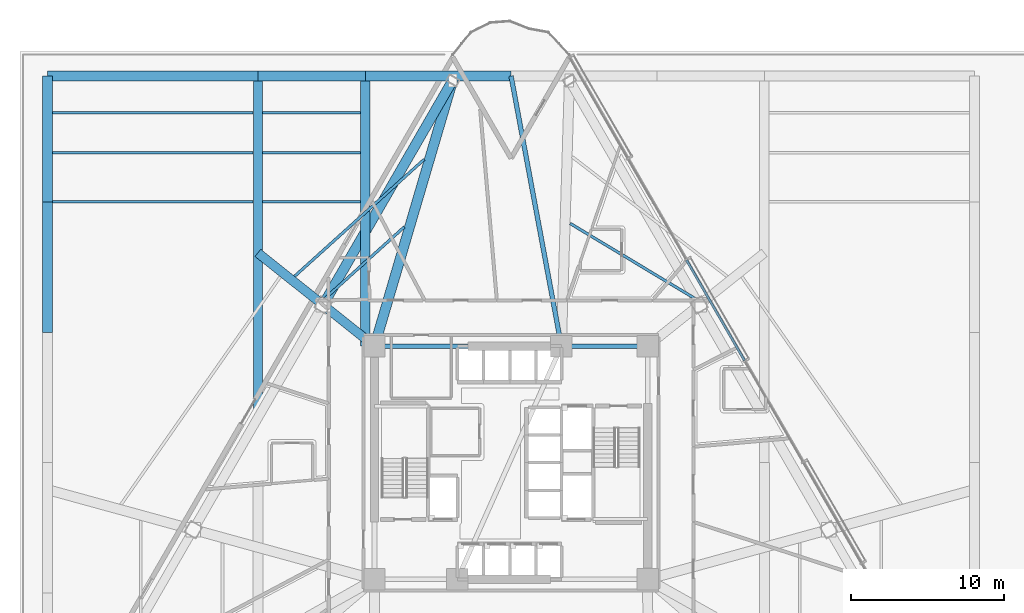
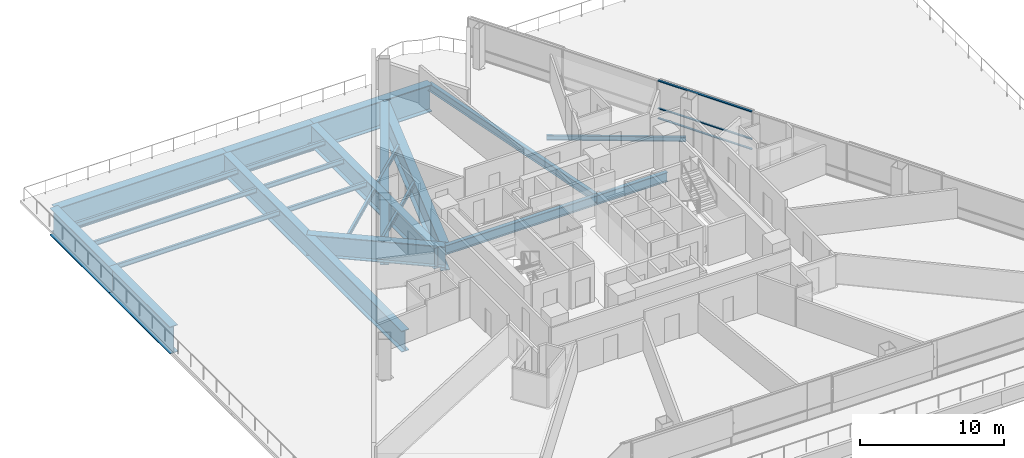
# One storey, part 6 of 19: 22 beams, 3 members, 1 element without a shape of its own.
"""IFC4 building model written with IfcOpenShell, lengths in metres."""

import ifcopenshell
import ifcopenshell.guid

model = None  # the IFC model being written
_history = None  # IfcOwnerHistory: only IFC2X3 demands one
_inside = {}  # id of a spatial element -> (the spatial element, [elements in it])
_under = {}  # id of a project, library or spatial element -> (it, [spatial elements below it])
_declared = {}  # id of a project -> (the project, [libraries it declares])
_typed = {}  # id of a type object -> (the type object, [elements of that type])
_made_of = {}  # id of a material, layer set ... -> (it, [elements and type objects made of it])


def new_model(schema):
    """Start an empty IFC model of exactly this schema.

    Asked for "IFC4X3", IfcOpenShell would pick the latest addendum, in which some entities
    have other attributes; the version numbers below select the first issue.
    IFC2X3 requires an IfcOwnerHistory on every rooted entity: one is made here for all.
    """
    global model, _history
    if schema == "IFC4X3":
        model = ifcopenshell.file(schema_version=(4, 3, 0, 0))
    else:
        model = ifcopenshell.file(schema=schema)
    _inside.clear()
    _under.clear()
    _declared.clear()
    _typed.clear()
    _made_of.clear()
    _history = None
    if model.schema == "IFC2X3":
        org = make("IfcOrganization", Name="unknown")
        user = make(
            "IfcPersonAndOrganization",
            ThePerson=make("IfcPerson", FamilyName="unknown"),
            TheOrganization=org,
        )
        app = make(
            "IfcApplication",
            ApplicationDeveloper=org,
            Version="unknown",
            ApplicationFullName="unknown",
            ApplicationIdentifier="unknown",
        )
        _history = make(
            "IfcOwnerHistory",
            OwningUser=user,
            OwningApplication=app,
            ChangeAction="ADDED",
            CreationDate=0,
        )
    return model


def make(cls, **values):
    """One entity of the class cls with the attributes given. An attribute that is None is left unset."""
    return model.create_entity(
        cls, **{name: value for name, value in values.items() if value is not None}
    )


def rooted(cls, **values):
    """An entity with a GlobalId (a new one), such as an element, a storey or a relation."""
    return make(cls, GlobalId=ifcopenshell.guid.new(), OwnerHistory=_history, **values)


def si_unit(unit_type, name, prefix=None):
    """IfcSIUnit, for example si_unit("LENGTHUNIT", "METRE", prefix="MILLI")."""
    return make("IfcSIUnit", UnitType=unit_type, Prefix=prefix, Name=name)


def assignment(units):
    """IfcUnitAssignment: the units of a project."""
    return None if units is None else make("IfcUnitAssignment", Units=units)


def point(xyz):
    """IfcCartesianPoint."""
    return None if xyz is None else make("IfcCartesianPoint", Coordinates=xyz)


def direction(xyz):
    """IfcDirection."""
    return None if xyz is None else make("IfcDirection", DirectionRatios=xyz)


def frame(location, z_axis=None, x_axis=None):
    """IfcAxis2Placement3D, a coordinate frame: its origin and axes. An axis left out is left unset."""
    return make(
        "IfcAxis2Placement3D",
        Location=point(location),
        Axis=direction(z_axis),
        RefDirection=direction(x_axis),
    )


def frame_2d(location, x_axis=None):
    """IfcAxis2Placement2D, a coordinate frame in the plane: its origin and x axis."""
    return make(
        "IfcAxis2Placement2D", Location=point(location), RefDirection=direction(x_axis)
    )


def origin():
    """The frame at (0, 0, 0) with its axes left unset."""
    return frame((0.0, 0.0, 0.0))


def origin_2d():
    """The frame at (0, 0) in the plane with its x axis left unset."""
    return frame_2d((0.0, 0.0))


def place(relative_to, where):
    """IfcLocalPlacement: puts the frame where relative to a parent placement (None: the world)."""
    return make(
        "IfcLocalPlacement", PlacementRelTo=relative_to, RelativePlacement=where
    )


def context(
    kind, dimensions, precision=None, world=None, true_north=None, identifier=None
):
    """IfcGeometricRepresentationContext, for example the 3D "Model" context."""
    return make(
        "IfcGeometricRepresentationContext",
        ContextIdentifier=identifier,
        ContextType=kind,
        CoordinateSpaceDimension=dimensions,
        Precision=precision,
        WorldCoordinateSystem=world,
        TrueNorth=true_north,
    )


def subcontext(parent, identifier, kind, view, scale=None):
    """IfcGeometricRepresentationSubContext, for example "Body" below "Model"."""
    return make(
        "IfcGeometricRepresentationSubContext",
        ContextIdentifier=identifier,
        ContextType=kind,
        ParentContext=parent,
        TargetScale=scale,
        TargetView=view,
    )


def project(units=None, contexts=None):
    """IfcProject with its units and contexts."""
    return rooted(
        "IfcProject",
        Name="project",
        RepresentationContexts=contexts,
        UnitsInContext=assignment(units),
    )


def spatial(cls, under=None, at=None, **own):
    """A site, building, storey or space (cls), placed at a placement, below another one or the project."""
    s = rooted(cls, ObjectPlacement=at, **own)
    if under is not None:
        _under.setdefault(under.id(), (under, []))[1].append(s)
    return s


def profile(cls, at=None, kind="AREA", **sizes):
    """A parametric profile (cls). Its sizes go by their IFC names, for example OverallWidth=200.0."""
    return make(cls, ProfileType=kind, Position=at, **sizes)


def rectangle(**sizes):
    """IfcRectangleProfileDef."""
    return profile("IfcRectangleProfileDef", **sizes)


def i_section(**sizes):
    """IfcIShapeProfileDef."""
    return profile("IfcIShapeProfileDef", **sizes)


def extrude(swept, where, along, depth):
    """IfcExtrudedAreaSolid: the profile swept, set in the frame where, extruded along a direction by depth."""
    return make(
        "IfcExtrudedAreaSolid",
        SweptArea=swept,
        Position=where,
        ExtrudedDirection=direction(along),
        Depth=depth,
    )


def shape(context_of_items, identifier, shape_type, items):
    """IfcShapeRepresentation: the items that make up one representation, for example the "Body"."""
    return make(
        "IfcShapeRepresentation",
        ContextOfItems=context_of_items,
        RepresentationIdentifier=identifier,
        RepresentationType=shape_type,
        Items=items,
    )


def material(Name=None, Category=None):
    """IfcMaterial."""
    return make("IfcMaterial", Name=Name, Category=Category)


def layer(
    of_material, thickness, ventilated=None, Name=None, Category=None, Priority=None
):
    """IfcMaterialLayer: one layer of a wall or slab, of a material (None: an air gap)."""
    return make(
        "IfcMaterialLayer",
        Material=of_material,
        LayerThickness=thickness,
        IsVentilated=ventilated,
        Name=Name,
        Category=Category,
        Priority=Priority,
    )


def layer_set(layers, Name=None):
    """IfcMaterialLayerSet."""
    return make("IfcMaterialLayerSet", MaterialLayers=layers, LayerSetName=Name)


def material_profile(
    of_material, cross_section, Name=None, Category=None, Priority=None
):
    """IfcMaterialProfile: a cross section and its material."""
    return make(
        "IfcMaterialProfile",
        Name=Name,
        Material=of_material,
        Profile=cross_section,
        Priority=Priority,
        Category=Category,
    )


def profile_set(profiles, Name=None, composite=None):
    """IfcMaterialProfileSet."""
    return make(
        "IfcMaterialProfileSet",
        Name=Name,
        MaterialProfiles=profiles,
        CompositeProfile=composite,
    )


def made_of(thing, what):
    """Note that an element or type object is made of a material, layer set ...; save() writes the relation."""
    if what is not None:
        _made_of.setdefault(what.id(), (what, []))[1].append(thing)
    return thing


def type_object(cls, material=None, **own):
    """A type object (cls), such as IfcWallType, which elements share."""
    return made_of(rooted(cls, **own), material)


def element(
    cls,
    number,
    at=None,
    inside=None,
    cuts=None,
    type_object=None,
    material=None,
    context=None,
    identifier="Body",
    shape_type=None,
    held_by="IfcProductDefinitionShape",
    body=None,
    shapes=None,
    **own,
):
    """One element of the class cls, such as IfcWall. Its Tag is "e" and its number.

    at: its placement. inside: the storey or other place that contains it. cuts: it is an
    opening in that element (IfcRelVoidsElement). A single representation is given by context,
    identifier, shape_type and body (its items); several are given by shapes. held_by: the class
    of the entity that holds the representations. save() writes the other relations.
    """
    e = rooted(cls, Tag="e%d" % number, ObjectPlacement=at, **own)
    if body is not None:
        shapes = [shape(context, identifier, shape_type, body)]
    if shapes is not None:
        e.Representation = make(held_by, Representations=shapes)
    if inside is not None:
        _inside.setdefault(inside.id(), (inside, []))[1].append(e)
    if cuts is not None:
        rooted(
            "IfcRelVoidsElement", RelatingBuildingElement=cuts, RelatedOpeningElement=e
        )
    if type_object is not None:
        _typed.setdefault(type_object.id(), (type_object, []))[1].append(e)
    return made_of(e, material)


def aggregate(whole, parts):
    """IfcRelAggregates: a whole, such as a stair, and the parts it consists of."""
    return rooted("IfcRelAggregates", RelatingObject=whole, RelatedObjects=parts)


def save(model, path):
    """Write the relations noted so far, then the file.

    IfcRelAggregates (storeys below a building ...), IfcRelContainedInSpatialStructure (elements
    in a storey), IfcRelDefinesByType, IfcRelAssociatesMaterial and IfcRelDeclares: one each for
    every whole, place, type object, material and project.
    """
    for whole, parts in _under.values():
        aggregate(whole, parts)
    for where, things in _inside.values():
        rooted(
            "IfcRelContainedInSpatialStructure",
            RelatedElements=things,
            RelatingStructure=where,
        )
    for kind, things in _typed.values():
        rooted("IfcRelDefinesByType", RelatedObjects=things, RelatingType=kind)
    for what, things in _made_of.values():
        rooted("IfcRelAssociatesMaterial", RelatedObjects=things, RelatingMaterial=what)
    for by, libraries in _declared.values():
        rooted("IfcRelDeclares", RelatingContext=by, RelatedDefinitions=libraries)
    model.write(path)


model = new_model("IFC4")

# Units and contexts
model_context = context("Model", 3, precision=1e-05, world=origin(), true_north=direction((0.0, 1.0)))
body_context = subcontext(model_context, "Body", "Model", "MODEL_VIEW")
ifc_project = project(units=[si_unit("LENGTHUNIT", "METRE"), si_unit("AREAUNIT", "SQUARE_METRE"), si_unit("VOLUMEUNIT", "CUBIC_METRE"), si_unit("PLANEANGLEUNIT", "RADIAN"), si_unit("MASSUNIT", "GRAM", prefix="KILO")], contexts=[model_context])

# Site, building, storey
site_placement = place(None, origin())
site = spatial("IfcSite", under=ifc_project, at=site_placement, CompositionType="ELEMENT")
building_placement = place(site_placement, origin())
building = spatial("IfcBuilding", under=site, at=building_placement, Name="Tharavind Bronze Gate", CompositionType="ELEMENT")
storey_placement = place(building_placement, frame((0.0, 0.0, 31.800048828125)))
storey = spatial("IfcBuildingStorey", under=building, at=storey_placement, Name="L06", CompositionType="ELEMENT", Elevation=31.800048828125)

# Curtain wall, members
ifc_material_1 = material(Name="Anodised Bronze Aluminium", Category="aluminium")
ifc_layer = layer(ifc_material_1, 0.219970703125)
ifc_layer_set = layer_set([ifc_layer], Name="Anodised Bronze Aluminium")
curtain_wall_type = type_object("IfcCurtainWallType", Name="UNITISED CURTAIN WALL HOTEL", PredefinedType="USERDEFINED", material=ifc_layer_set)
curtain_wall_placement = place(storey_placement, origin())
curtain_wall = element("IfcCurtainWall", 1, at=curtain_wall_placement, inside=storey, type_object=curtain_wall_type, Name="L06 unitised curtain wall hotel CW-L06-S3", ObjectType="UNITISED CURTAIN WALL", PredefinedType="USERDEFINED")
member_type = type_object("IfcMemberType", Name="CURTAIN WALL TRANSOM 80X160", PredefinedType="USERDEFINED", material=ifc_material_1)
member_1_placement = place(storey_placement, frame((13.31982421875, 9.92919921875, 0.0), z_axis=(0.0, 0.0, 1.0), x_axis=(-0.500001511499, 0.866024531118, 0.0)))
member_1 = element("IfcMember", 2, at=member_1_placement, type_object=member_type, Name="CW-L06-S3 transom TB5", ObjectType="TRANSOM", PredefinedType="USERDEFINED", context=body_context, shape_type="SweptSolid", body=[
    extrude(rectangle(XDim=7.5478515625, YDim=0.159912109375, at=origin_2d()), origin(), (0.0, 0.0, 1.0), 0.080078125),
])
member_2_placement = place(storey_placement, frame((13.31982421875, 9.92919921875, 0.85986328125), z_axis=(0.0, 0.0, 1.0), x_axis=(-0.500001511499, 0.866024531118, 0.0)))
member_2 = element("IfcMember", 3, at=member_2_placement, type_object=member_type, Name="CW-L06-S3 transom TS5", ObjectType="TRANSOM", PredefinedType="USERDEFINED", context=body_context, shape_type="SweptSolid", body=[
    extrude(rectangle(XDim=7.5478515625, YDim=0.159912109375, at=origin_2d()), origin(), (0.0, 0.0, 1.0), 0.080078125),
])
member_3_placement = place(storey_placement, frame((13.31982421875, 9.92919921875, 3.19482421875), z_axis=(0.0, 0.0, 1.0), x_axis=(-0.500001511499, 0.866024531118, 0.0)))
member_3 = element("IfcMember", 4, at=member_3_placement, type_object=member_type, Name="CW-L06-S3 transom TT5", ObjectType="TRANSOM", PredefinedType="USERDEFINED", context=body_context, shape_type="SweptSolid", body=[
    extrude(rectangle(XDim=7.5478515625, YDim=0.159912109375, at=origin_2d()), origin(), (0.0, 0.0, 1.0), 0.080078125),
])
aggregate(curtain_wall, [member_1, member_2, member_3])

# Beams
ifc_material_2 = material(Name="Steel S355", Category="steel")
ifc_material_profile_1 = material_profile(ifc_material_2, i_section(OverallWidth=0.300048828125, OverallDepth=0.64990234375, WebThickness=0.01611328125, FlangeThickness=0.031005859375, at=origin_2d()), Name="HE650B")
ifc_profile_set_1 = profile_set([ifc_material_profile_1], Name="Steel S355")
beam_type_1 = type_object("IfcBeamType", Name="PRIMARY GIRDER HE650B", PredefinedType="USERDEFINED", material=ifc_profile_set_1)
beam_1_placement = place(storey_placement, frame((3.280029296875, 7.60009765625, -0.52001953125), z_axis=(-0.183212289907, 0.983073373064, 0.0), x_axis=(-0.983073373064, -0.183212289907, 0.0)))
element("IfcBeam", 5, at=beam_1_placement, inside=storey, type_object=beam_type_1, Name="L06 primary girder he650b BM-L06-BLCSB", ObjectType="GIRDER", PredefinedType="USERDEFINED", context=body_context, shape_type="SweptSolid", body=[
    extrude(i_section(OverallWidth=0.300048828125, OverallDepth=0.64990234375, WebThickness=0.01611328125, FlangeThickness=0.031005859375, at=origin_2d()), origin(), (0.0, 0.0, 1.0), 17.90283203125),
])
ifc_material_profile_2 = material_profile(ifc_material_2, i_section(OverallWidth=0.300048828125, OverallDepth=0.800048828125, WebThickness=0.017578125, FlangeThickness=0.032958984375, at=origin_2d()), Name="HE800B")
ifc_profile_set_2 = profile_set([ifc_material_profile_2], Name="Steel S355")
beam_type_2 = type_object("IfcBeamType", Name="RING GIRDER HE800B", PredefinedType="USERDEFINED", material=ifc_profile_set_2)
beam_2_placement = place(storey_placement, frame((8.89990234375, 7.60009765625, -0.594970703125), z_axis=(-1.0, 0.0, 0.0), x_axis=(0.0, -1.0, 0.0)))
element("IfcBeam", 6, at=beam_2_placement, inside=storey, type_object=beam_type_2, Name="L06 ring girder he800b BM-L06-CR4", ObjectType="GIRDER", PredefinedType="USERDEFINED", context=body_context, shape_type="SweptSolid", body=[
    extrude(i_section(OverallWidth=0.300048828125, OverallDepth=0.800048828125, WebThickness=0.017578125, FlangeThickness=0.032958984375, at=origin_2d()), origin(), (0.0, 0.0, 1.0), 5.619873046875),
])
beam_3_placement = place(storey_placement, frame((3.280029296875, 7.60009765625, -0.594970703125), z_axis=(-1.0, 0.0, 0.0), x_axis=(0.0, -1.0, 0.0)))
element("IfcBeam", 7, at=beam_3_placement, inside=storey, type_object=beam_type_2, Name="L06 ring girder he800b BM-L06-CR5", ObjectType="GIRDER", PredefinedType="USERDEFINED", context=body_context, shape_type="SweptSolid", body=[
    extrude(i_section(OverallWidth=0.300048828125, OverallDepth=0.800048828125, WebThickness=0.017578125, FlangeThickness=0.032958984375, at=origin_2d()), origin(), (0.0, 0.0, 1.0), 12.179931640625),
])
ifc_material_profile_3 = material_profile(ifc_material_2, i_section(OverallWidth=0.179931640625, OverallDepth=0.39990234375, WebThickness=0.008544921875, FlangeThickness=0.013427734375, at=origin_2d()), Name="IPE400")
ifc_profile_set_3 = profile_set([ifc_material_profile_3], Name="Steel S355")
beam_type_3 = type_object("IfcBeamType", Name="SECONDARY FLOOR JOIST IPE400", PredefinedType="JOIST", material=ifc_profile_set_3)
beam_4_placement = place(storey_placement, frame((-29.8701171875, 17.0, -0.39501953125), z_axis=(1.0, 0.0, 0.0), x_axis=(0.0, 1.0, 0.0)))
element("IfcBeam", 8, at=beam_4_placement, inside=storey, type_object=beam_type_3, Name="L06 secondary floor joist ipe400 BM-L06-SKJW1", PredefinedType="JOIST", context=body_context, shape_type="SweptSolid", body=[
    extrude(i_section(OverallWidth=0.179931640625, OverallDepth=0.39990234375, WebThickness=0.008544921875, FlangeThickness=0.013427734375, at=origin_2d()), origin(), (0.0, 0.0, 1.0), 13.06005859375),
])
beam_5_placement = place(storey_placement, frame((-16.18994140625, 17.0, -0.39501953125), z_axis=(1.0, 0.0, 0.0), x_axis=(0.0, 1.0, 0.0)))
element("IfcBeam", 9, at=beam_5_placement, inside=storey, type_object=beam_type_3, Name="L06 secondary floor joist ipe400 BM-L06-SKJM1", PredefinedType="JOIST", context=body_context, shape_type="SweptSolid", body=[
    extrude(i_section(OverallWidth=0.179931640625, OverallDepth=0.39990234375, WebThickness=0.008544921875, FlangeThickness=0.013427734375, at=origin_2d()), origin(), (0.0, 0.0, 1.0), 6.3798828125),
])
beam_6_placement = place(storey_placement, frame((-29.8701171875, 20.199951171875, -0.39501953125), z_axis=(1.0, 0.0, 0.0), x_axis=(0.0, 1.0, 0.0)))
element("IfcBeam", 10, at=beam_6_placement, inside=storey, type_object=beam_type_3, Name="L06 secondary floor joist ipe400 BM-L06-SKJW2", PredefinedType="JOIST", context=body_context, shape_type="SweptSolid", body=[
    extrude(i_section(OverallWidth=0.179931640625, OverallDepth=0.39990234375, WebThickness=0.008544921875, FlangeThickness=0.013427734375, at=origin_2d()), origin(), (0.0, 0.0, 1.0), 13.06005859375),
])
beam_7_placement = place(storey_placement, frame((-16.18994140625, 20.199951171875, -0.39501953125), z_axis=(1.0, 0.0, 0.0), x_axis=(0.0, 1.0, 0.0)))
element("IfcBeam", 11, at=beam_7_placement, inside=storey, type_object=beam_type_3, Name="L06 secondary floor joist ipe400 BM-L06-SKJM2", PredefinedType="JOIST", context=body_context, shape_type="SweptSolid", body=[
    extrude(i_section(OverallWidth=0.179931640625, OverallDepth=0.39990234375, WebThickness=0.008544921875, FlangeThickness=0.013427734375, at=origin_2d()), origin(), (0.0, 0.0, 1.0), 6.3798828125),
])
beam_8_placement = place(storey_placement, frame((-29.8701171875, 22.800048828125, -0.39501953125), z_axis=(1.0, 0.0, 0.0), x_axis=(0.0, 1.0, 0.0)))
element("IfcBeam", 12, at=beam_8_placement, inside=storey, type_object=beam_type_3, Name="L06 secondary floor joist ipe400 BM-L06-SKJW3", PredefinedType="JOIST", context=body_context, shape_type="SweptSolid", body=[
    extrude(i_section(OverallWidth=0.179931640625, OverallDepth=0.39990234375, WebThickness=0.008544921875, FlangeThickness=0.013427734375, at=origin_2d()), origin(), (0.0, 0.0, 1.0), 13.06005859375),
])
beam_9_placement = place(storey_placement, frame((-16.18994140625, 22.800048828125, -0.39501953125), z_axis=(1.0, 0.0, 0.0), x_axis=(0.0, 1.0, 0.0)))
element("IfcBeam", 13, at=beam_9_placement, inside=storey, type_object=beam_type_3, Name="L06 secondary floor joist ipe400 BM-L06-SKJM3", PredefinedType="JOIST", context=body_context, shape_type="SweptSolid", body=[
    extrude(i_section(OverallWidth=0.179931640625, OverallDepth=0.39990234375, WebThickness=0.008544921875, FlangeThickness=0.013427734375, at=origin_2d()), origin(), (0.0, 0.0, 1.0), 6.3798828125),
])
beam_10_placement = place(storey_placement, frame((-6.9541015625, 15.365234375, -0.39501953125), z_axis=(-0.742643121194, -0.669687385684, 0.0), x_axis=(0.669687385684, -0.742643121194, 0.0)))
element("IfcBeam", 14, at=beam_10_placement, inside=storey, type_object=beam_type_3, Name="L06 secondary floor joist ipe400 BM-L06-JSTA01", PredefinedType="JOIST", context=body_context, shape_type="SweptSolid", body=[
    extrude(i_section(OverallWidth=0.179931640625, OverallDepth=0.39990234375, WebThickness=0.008544921875, FlangeThickness=0.013427734375, at=origin_2d()), origin(), (0.0, 0.0, 1.0), 7.071044921875),
])
beam_11_placement = place(storey_placement, frame((-5.658447265625, 19.765380859375, -0.39501953125), z_axis=(-0.742623516281, -0.669709125715, 0.0), x_axis=(0.669709125715, -0.742623516281, 0.0)))
element("IfcBeam", 15, at=beam_11_placement, inside=storey, type_object=beam_type_3, Name="L06 secondary floor joist ipe400 BM-L06-JSTB01", PredefinedType="JOIST", context=body_context, shape_type="SweptSolid", body=[
    extrude(i_section(OverallWidth=0.179931640625, OverallDepth=0.39990234375, WebThickness=0.008544921875, FlangeThickness=0.013427734375, at=origin_2d()), origin(), (0.0, 0.0, 1.0), 11.374267578125),
])
beam_12_placement = place(storey_placement, frame((12.156494140625, 10.5908203125, -0.39501953125), z_axis=(-0.856841269082, 0.515580294035, 0.0), x_axis=(-0.515580294035, -0.856841269082, 0.0)))
element("IfcBeam", 16, at=beam_12_placement, inside=storey, type_object=beam_type_3, Name="L06 secondary floor joist ipe400 BM-L06-JSTA11", PredefinedType="JOIST", context=body_context, shape_type="SweptSolid", body=[
    extrude(i_section(OverallWidth=0.179931640625, OverallDepth=0.39990234375, WebThickness=0.008544921875, FlangeThickness=0.013427734375, at=origin_2d()), origin(), (0.0, 0.0, 1.0), 9.69580078125),
])
ifc_material_3 = material(Name="Steel S460", Category="steel")
ifc_material_profile_4 = material_profile(ifc_material_3, i_section(OverallWidth=0.60009765625, OverallDepth=1.800048828125, WebThickness=0.031982421875, FlangeThickness=0.054931640625, at=origin_2d()), Name="PG1800X600")
ifc_profile_set_4 = profile_set([ifc_material_profile_4], Name="Steel S460")
beam_type_4 = type_object("IfcBeamType", Name="TRANSFER GIRDER 1800X600", PredefinedType="USERDEFINED", material=ifc_profile_set_4)
beam_13_placement = place(storey_placement, frame((-16.5, 0.0, -1.094970703125), z_axis=(0.0, 1.0, 0.0), x_axis=(-1.0, 0.0, 0.0)))
element("IfcBeam", 17, at=beam_13_placement, inside=storey, type_object=beam_type_4, Name="L06 transfer girder 1800x600 BM-L06-PM3N", ObjectType="TRANSFER GIRDER", PredefinedType="USERDEFINED", context=body_context, shape_type="SweptSolid", body=[
    extrude(i_section(OverallWidth=0.60009765625, OverallDepth=1.800048828125, WebThickness=0.031982421875, FlangeThickness=0.054931640625, at=origin_2d()), origin(), (0.0, 0.0, 1.0), 25.199951171875),
])
beam_14_placement = place(storey_placement, frame((-9.5, 7.60009765625, -1.094970703125), z_axis=(0.0, 1.0, 0.0), x_axis=(-1.0, 0.0, 0.0)))
element("IfcBeam", 18, at=beam_14_placement, inside=storey, type_object=beam_type_4, Name="L06 transfer girder 1800x600 BM-L06-PMN9", ObjectType="TRANSFER GIRDER", PredefinedType="USERDEFINED", context=body_context, shape_type="SweptSolid", body=[
    extrude(i_section(OverallWidth=0.60009765625, OverallDepth=1.800048828125, WebThickness=0.031982421875, FlangeThickness=0.054931640625, at=origin_2d()), origin(), (0.0, 0.0, 1.0), 17.599853515625),
])
beam_15_placement = place(storey_placement, frame((-8.89990234375, 7.60009765625, -1.094970703125), z_axis=(-0.781260409333, 0.624205232924, 0.0), x_axis=(-0.624205232924, -0.781260409333, 0.0)))
element("IfcBeam", 19, at=beam_15_placement, inside=storey, type_object=beam_type_4, Name="L06 transfer girder 1800x600 BM-L06-XFR02", ObjectType="TRANSFER GIRDER", PredefinedType="USERDEFINED", context=body_context, shape_type="SweptSolid", body=[
    extrude(i_section(OverallWidth=0.60009765625, OverallDepth=1.800048828125, WebThickness=0.031982421875, FlangeThickness=0.054931640625, at=origin_2d()), origin(), (0.0, 0.0, 1.0), 9.72802734375),
])
ifc_material_profile_5 = material_profile(ifc_material_3, i_section(OverallWidth=0.64990234375, OverallDepth=2.199951171875, WebThickness=0.035888671875, FlangeThickness=0.054931640625, at=origin_2d()), Name="PG2200X650")
ifc_profile_set_5 = profile_set([ifc_material_profile_5], Name="Steel S460")
beam_type_5 = type_object("IfcBeamType", Name="TRANSFER GIRDER 2200X650", PredefinedType="USERDEFINED", material=ifc_profile_set_5)
beam_16_placement = place(storey_placement, frame((-3.800048828125, 24.918212890625, -1.295166015625), z_axis=(-0.499997491977, -0.866026851788, 0.0), x_axis=(0.866026851788, -0.499997491977, 0.0)))
element("IfcBeam", 20, at=beam_16_placement, inside=storey, type_object=beam_type_5, Name="L06 transfer girder 2200x650 BM-L06-URG01", ObjectType="TRANSFER GIRDER", PredefinedType="USERDEFINED", context=body_context, shape_type="SweptSolid", body=[
    extrude(i_section(OverallWidth=0.64990234375, OverallDepth=2.199951171875, WebThickness=0.035888671875, FlangeThickness=0.054931640625, at=origin_2d()), origin(), (0.0, 0.0, 1.0), 16.904296875),
])
beam_17_placement = place(storey_placement, frame((-8.89990234375, 7.60009765625, -1.295166015625), z_axis=(0.282489060352, 0.959270520125, 0.0), x_axis=(-0.959270520125, 0.282489060352, 0.0)))
element("IfcBeam", 21, at=beam_17_placement, inside=storey, type_object=beam_type_5, Name="L06 transfer girder 2200x650 BM-L06-XFR01", ObjectType="TRANSFER GIRDER", PredefinedType="USERDEFINED", context=body_context, shape_type="SweptSolid", body=[
    extrude(i_section(OverallWidth=0.64990234375, OverallDepth=2.199951171875, WebThickness=0.035888671875, FlangeThickness=0.054931640625, at=origin_2d()), origin(), (0.0, 0.0, 1.0), 18.34716796875),
])
ifc_material_profile_6 = material_profile(ifc_material_3, i_section(OverallWidth=0.64990234375, OverallDepth=2.300048828125, WebThickness=0.035888671875, FlangeThickness=0.05810546875, at=origin_2d()), Name="PG2300X650")
ifc_profile_set_6 = profile_set([ifc_material_profile_6], Name="Steel S460")
beam_type_6 = type_object("IfcBeamType", Name="TRANSFER GIRDER 2300X650", PredefinedType="USERDEFINED", material=ifc_profile_set_6)
beam_18_placement = place(storey_placement, frame((-30.199951171875, 25.199951171875, -1.344970703125), z_axis=(1.0, 0.0, 0.0), x_axis=(0.0, 1.0, 0.0)))
element("IfcBeam", 22, at=beam_18_placement, inside=storey, type_object=beam_type_6, Name="L06 transfer girder 2300x650 BM-L06-PN1", ObjectType="TRANSFER GIRDER", PredefinedType="USERDEFINED", context=body_context, shape_type="SweptSolid", body=[
    extrude(i_section(OverallWidth=0.64990234375, OverallDepth=2.300048828125, WebThickness=0.035888671875, FlangeThickness=0.05810546875, at=origin_2d()), origin(), (0.0, 0.0, 1.0), 13.699951171875),
])
beam_19_placement = place(storey_placement, frame((-16.5, 25.199951171875, -1.344970703125), z_axis=(1.0, 0.0, 0.0), x_axis=(0.0, 1.0, 0.0)))
element("IfcBeam", 23, at=beam_19_placement, inside=storey, type_object=beam_type_6, Name="L06 transfer girder 2300x650 BM-L06-PN2", ObjectType="TRANSFER GIRDER", PredefinedType="USERDEFINED", context=body_context, shape_type="SweptSolid", body=[
    extrude(i_section(OverallWidth=0.64990234375, OverallDepth=2.300048828125, WebThickness=0.035888671875, FlangeThickness=0.05810546875, at=origin_2d()), origin(), (0.0, 0.0, 1.0), 7.0),
])
beam_20_placement = place(storey_placement, frame((-9.5, 25.199951171875, -1.344970703125), z_axis=(1.0, 0.0, 0.0), x_axis=(0.0, 1.0, 0.0)))
element("IfcBeam", 24, at=beam_20_placement, inside=storey, type_object=beam_type_6, Name="L06 transfer girder 2300x650 BM-L06-PN3", ObjectType="TRANSFER GIRDER", PredefinedType="USERDEFINED", context=body_context, shape_type="SweptSolid", body=[
    extrude(i_section(OverallWidth=0.64990234375, OverallDepth=2.300048828125, WebThickness=0.035888671875, FlangeThickness=0.05810546875, at=origin_2d()), origin(), (0.0, 0.0, 1.0), 9.5),
])
beam_21_placement = place(storey_placement, frame((-30.199951171875, 8.5, -1.344970703125), z_axis=(0.0, 1.0, 0.0), x_axis=(-1.0, 0.0, 0.0)))
element("IfcBeam", 25, at=beam_21_placement, inside=storey, type_object=beam_type_6, Name="L06 transfer girder 2300x650 BM-L06-PW5", ObjectType="TRANSFER GIRDER", PredefinedType="USERDEFINED", context=body_context, shape_type="SweptSolid", body=[
    extrude(i_section(OverallWidth=0.64990234375, OverallDepth=2.300048828125, WebThickness=0.035888671875, FlangeThickness=0.05810546875, at=origin_2d()), origin(), (0.0, 0.0, 1.0), 8.5),
])
beam_22_placement = place(storey_placement, frame((-30.199951171875, 17.0, -1.344970703125), z_axis=(0.0, 1.0, 0.0), x_axis=(-1.0, 0.0, 0.0)))
element("IfcBeam", 26, at=beam_22_placement, inside=storey, type_object=beam_type_6, Name="L06 transfer girder 2300x650 BM-L06-PW6", ObjectType="TRANSFER GIRDER", PredefinedType="USERDEFINED", context=body_context, shape_type="SweptSolid", body=[
    extrude(i_section(OverallWidth=0.64990234375, OverallDepth=2.300048828125, WebThickness=0.035888671875, FlangeThickness=0.05810546875, at=origin_2d()), origin(), (0.0, 0.0, 1.0), 8.199951171875),
])

save(model, "model.ifc")
